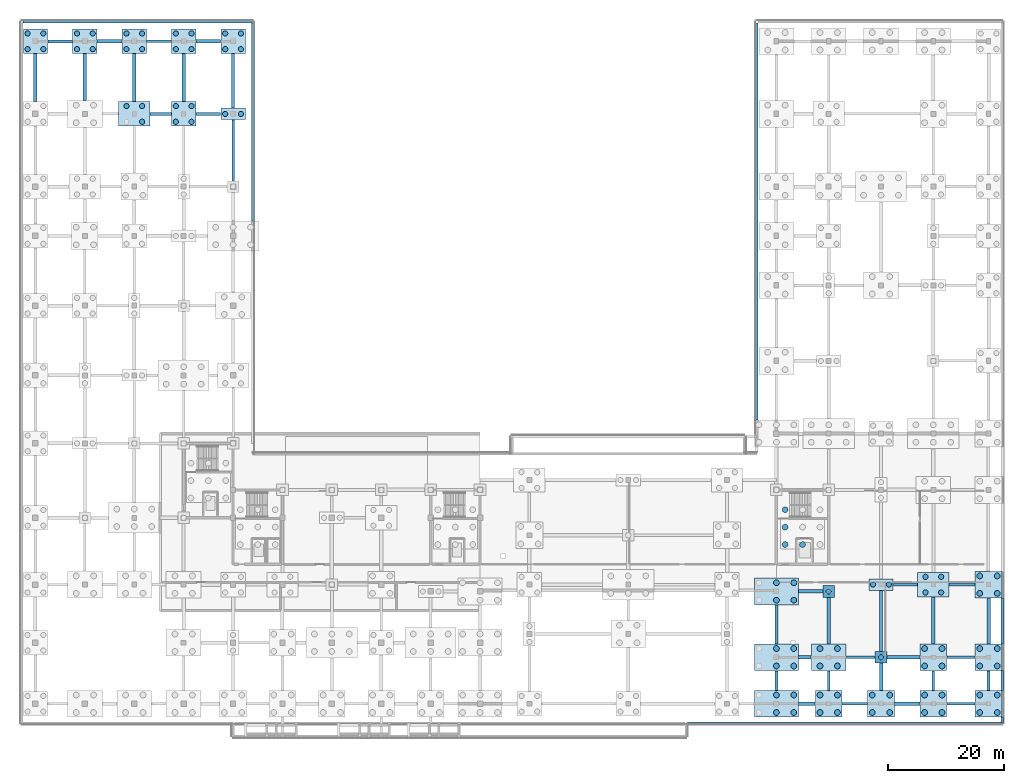
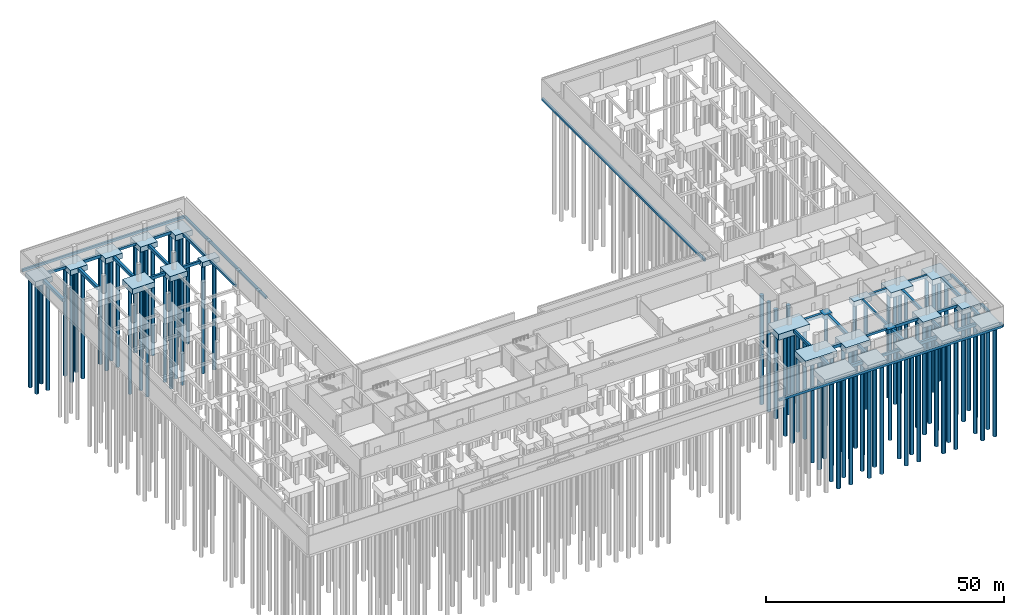
# One storey, part 5 of 25: 85 piles, 63 footings.
"""IFC4 building model written with IfcOpenShell, lengths in metres."""

import ifcopenshell
import ifcopenshell.guid

model = None  # the IFC model being written
_history = None  # IfcOwnerHistory: only IFC2X3 demands one
_inside = {}  # id of a spatial element -> (the spatial element, [elements in it])
_under = {}  # id of a project, library or spatial element -> (it, [spatial elements below it])
_declared = {}  # id of a project -> (the project, [libraries it declares])
_typed = {}  # id of a type object -> (the type object, [elements of that type])
_made_of = {}  # id of a material, layer set ... -> (it, [elements and type objects made of it])


def new_model(schema):
    """Start an empty IFC model of exactly this schema.

    Asked for "IFC4X3", IfcOpenShell would pick the latest addendum, in which some entities
    have other attributes; the version numbers below select the first issue.
    IFC2X3 requires an IfcOwnerHistory on every rooted entity: one is made here for all.
    """
    global model, _history
    if schema == "IFC4X3":
        model = ifcopenshell.file(schema_version=(4, 3, 0, 0))
    else:
        model = ifcopenshell.file(schema=schema)
    _inside.clear()
    _under.clear()
    _declared.clear()
    _typed.clear()
    _made_of.clear()
    _history = None
    if model.schema == "IFC2X3":
        org = make("IfcOrganization", Name="unknown")
        user = make(
            "IfcPersonAndOrganization",
            ThePerson=make("IfcPerson", FamilyName="unknown"),
            TheOrganization=org,
        )
        app = make(
            "IfcApplication",
            ApplicationDeveloper=org,
            Version="unknown",
            ApplicationFullName="unknown",
            ApplicationIdentifier="unknown",
        )
        _history = make(
            "IfcOwnerHistory",
            OwningUser=user,
            OwningApplication=app,
            ChangeAction="ADDED",
            CreationDate=0,
        )
    return model


def make(cls, **values):
    """One entity of the class cls with the attributes given. An attribute that is None is left unset."""
    return model.create_entity(
        cls, **{name: value for name, value in values.items() if value is not None}
    )


def rooted(cls, **values):
    """An entity with a GlobalId (a new one), such as an element, a storey or a relation."""
    return make(cls, GlobalId=ifcopenshell.guid.new(), OwnerHistory=_history, **values)


def si_unit(unit_type, name, prefix=None):
    """IfcSIUnit, for example si_unit("LENGTHUNIT", "METRE", prefix="MILLI")."""
    return make("IfcSIUnit", UnitType=unit_type, Prefix=prefix, Name=name)


def assignment(units):
    """IfcUnitAssignment: the units of a project."""
    return None if units is None else make("IfcUnitAssignment", Units=units)


def point(xyz):
    """IfcCartesianPoint."""
    return None if xyz is None else make("IfcCartesianPoint", Coordinates=xyz)


def direction(xyz):
    """IfcDirection."""
    return None if xyz is None else make("IfcDirection", DirectionRatios=xyz)


def frame(location, z_axis=None, x_axis=None):
    """IfcAxis2Placement3D, a coordinate frame: its origin and axes. An axis left out is left unset."""
    return make(
        "IfcAxis2Placement3D",
        Location=point(location),
        Axis=direction(z_axis),
        RefDirection=direction(x_axis),
    )


def frame_2d(location, x_axis=None):
    """IfcAxis2Placement2D, a coordinate frame in the plane: its origin and x axis."""
    return make(
        "IfcAxis2Placement2D", Location=point(location), RefDirection=direction(x_axis)
    )


def origin():
    """The frame at (0, 0, 0) with its axes left unset."""
    return frame((0.0, 0.0, 0.0))


def origin_2d():
    """The frame at (0, 0) in the plane with its x axis left unset."""
    return frame_2d((0.0, 0.0))


def place(relative_to, where):
    """IfcLocalPlacement: puts the frame where relative to a parent placement (None: the world)."""
    return make(
        "IfcLocalPlacement", PlacementRelTo=relative_to, RelativePlacement=where
    )


def context(
    kind, dimensions, precision=None, world=None, true_north=None, identifier=None
):
    """IfcGeometricRepresentationContext, for example the 3D "Model" context."""
    return make(
        "IfcGeometricRepresentationContext",
        ContextIdentifier=identifier,
        ContextType=kind,
        CoordinateSpaceDimension=dimensions,
        Precision=precision,
        WorldCoordinateSystem=world,
        TrueNorth=true_north,
    )


def subcontext(parent, identifier, kind, view, scale=None):
    """IfcGeometricRepresentationSubContext, for example "Body" below "Model"."""
    return make(
        "IfcGeometricRepresentationSubContext",
        ContextIdentifier=identifier,
        ContextType=kind,
        ParentContext=parent,
        TargetScale=scale,
        TargetView=view,
    )


def project(units=None, contexts=None):
    """IfcProject with its units and contexts."""
    return rooted(
        "IfcProject",
        Name="project",
        RepresentationContexts=contexts,
        UnitsInContext=assignment(units),
    )


def spatial(cls, under=None, at=None, **own):
    """A site, building, storey or space (cls), placed at a placement, below another one or the project."""
    s = rooted(cls, ObjectPlacement=at, **own)
    if under is not None:
        _under.setdefault(under.id(), (under, []))[1].append(s)
    return s


def profile(cls, at=None, kind="AREA", **sizes):
    """A parametric profile (cls). Its sizes go by their IFC names, for example OverallWidth=200.0."""
    return make(cls, ProfileType=kind, Position=at, **sizes)


def rectangle(**sizes):
    """IfcRectangleProfileDef."""
    return profile("IfcRectangleProfileDef", **sizes)


def circle(**sizes):
    """IfcCircleProfileDef."""
    return profile("IfcCircleProfileDef", **sizes)


def extrude(swept, where, along, depth):
    """IfcExtrudedAreaSolid: the profile swept, set in the frame where, extruded along a direction by depth."""
    return make(
        "IfcExtrudedAreaSolid",
        SweptArea=swept,
        Position=where,
        ExtrudedDirection=direction(along),
        Depth=depth,
    )


def shape(context_of_items, identifier, shape_type, items):
    """IfcShapeRepresentation: the items that make up one representation, for example the "Body"."""
    return make(
        "IfcShapeRepresentation",
        ContextOfItems=context_of_items,
        RepresentationIdentifier=identifier,
        RepresentationType=shape_type,
        Items=items,
    )


def material(Name=None, Category=None):
    """IfcMaterial."""
    return make("IfcMaterial", Name=Name, Category=Category)


def material_profile(
    of_material, cross_section, Name=None, Category=None, Priority=None
):
    """IfcMaterialProfile: a cross section and its material."""
    return make(
        "IfcMaterialProfile",
        Name=Name,
        Material=of_material,
        Profile=cross_section,
        Priority=Priority,
        Category=Category,
    )


def profile_set(profiles, Name=None, composite=None):
    """IfcMaterialProfileSet."""
    return make(
        "IfcMaterialProfileSet",
        Name=Name,
        MaterialProfiles=profiles,
        CompositeProfile=composite,
    )


def made_of(thing, what):
    """Note that an element or type object is made of a material, layer set ...; save() writes the relation."""
    if what is not None:
        _made_of.setdefault(what.id(), (what, []))[1].append(thing)
    return thing


def type_object(cls, material=None, **own):
    """A type object (cls), such as IfcWallType, which elements share."""
    return made_of(rooted(cls, **own), material)


def element(
    cls,
    number,
    at=None,
    inside=None,
    cuts=None,
    type_object=None,
    material=None,
    context=None,
    identifier="Body",
    shape_type=None,
    held_by="IfcProductDefinitionShape",
    body=None,
    shapes=None,
    **own,
):
    """One element of the class cls, such as IfcWall. Its Tag is "e" and its number.

    at: its placement. inside: the storey or other place that contains it. cuts: it is an
    opening in that element (IfcRelVoidsElement). A single representation is given by context,
    identifier, shape_type and body (its items); several are given by shapes. held_by: the class
    of the entity that holds the representations. save() writes the other relations.
    """
    e = rooted(cls, Tag="e%d" % number, ObjectPlacement=at, **own)
    if body is not None:
        shapes = [shape(context, identifier, shape_type, body)]
    if shapes is not None:
        e.Representation = make(held_by, Representations=shapes)
    if inside is not None:
        _inside.setdefault(inside.id(), (inside, []))[1].append(e)
    if cuts is not None:
        rooted(
            "IfcRelVoidsElement", RelatingBuildingElement=cuts, RelatedOpeningElement=e
        )
    if type_object is not None:
        _typed.setdefault(type_object.id(), (type_object, []))[1].append(e)
    return made_of(e, material)


def aggregate(whole, parts):
    """IfcRelAggregates: a whole, such as a stair, and the parts it consists of."""
    return rooted("IfcRelAggregates", RelatingObject=whole, RelatedObjects=parts)


def save(model, path):
    """Write the relations noted so far, then the file.

    IfcRelAggregates (storeys below a building ...), IfcRelContainedInSpatialStructure (elements
    in a storey), IfcRelDefinesByType, IfcRelAssociatesMaterial and IfcRelDeclares: one each for
    every whole, place, type object, material and project.
    """
    for whole, parts in _under.values():
        aggregate(whole, parts)
    for where, things in _inside.values():
        rooted(
            "IfcRelContainedInSpatialStructure",
            RelatedElements=things,
            RelatingStructure=where,
        )
    for kind, things in _typed.values():
        rooted("IfcRelDefinesByType", RelatedObjects=things, RelatingType=kind)
    for what, things in _made_of.values():
        rooted("IfcRelAssociatesMaterial", RelatedObjects=things, RelatingMaterial=what)
    for by, libraries in _declared.values():
        rooted("IfcRelDeclares", RelatingContext=by, RelatedDefinitions=libraries)
    model.write(path)


model = new_model("IFC4")

# Units and contexts
model_context = context("Model", 3, precision=1e-05, world=origin(), true_north=direction((0.0, 1.0)))
body_context = subcontext(model_context, "Body", "Model", "MODEL_VIEW")
ifc_project = project(units=[si_unit("LENGTHUNIT", "METRE"), si_unit("AREAUNIT", "SQUARE_METRE"), si_unit("VOLUMEUNIT", "CUBIC_METRE"), si_unit("PLANEANGLEUNIT", "RADIAN"), si_unit("MASSUNIT", "GRAM", prefix="KILO")], contexts=[model_context])

# Site, building, storey
site_placement = place(None, origin())
site = spatial("IfcSite", under=ifc_project, at=site_placement, CompositionType="ELEMENT")
building_placement = place(site_placement, origin())
building = spatial("IfcBuilding", under=site, at=building_placement, Name="Solvikara Media Centre", CompositionType="ELEMENT")
storey_placement = place(building_placement, frame((0.0, 0.0, -4.800048828125)))
storey = spatial("IfcBuildingStorey", under=building, at=storey_placement, Name="B01", CompositionType="ELEMENT", Elevation=-4.800048828125)

# Piles
ifc_material = material(Name="Concrete fc' 35 MPa (C35/45)", Category="concrete")
ifc_material_profile_1 = material_profile(ifc_material, circle(Radius=0.449951171875, at=origin_2d()), Name="BORED PILE D900")
ifc_profile_set_1 = profile_set([ifc_material_profile_1], Name="Concrete fc' 35 MPa (C35/45)")
pile_type_1 = type_object("IfcPileType", Name="BP-01", PredefinedType="BORED", material=ifc_profile_set_1)
for number, where, z_axis, x_axis, name in (
    (1, (-1.35009765625, 112.64990234375, -1.25), (0.0, 0.0, -1.0), (1.0, 0.0, 0.0), "PL-015-01"),
    (2, (1.35009765625, 112.64990234375, -1.25), (0.0, 0.0, -1.0), (1.0, 0.0, 0.0), "PL-015-02"),
    (3, (-1.35009765625, 115.35009765625, -1.25), (0.0, 0.0, -1.0), (1.0, 0.0, 0.0), "PL-015-03"),
    (4, (1.35009765625, 115.35009765625, -1.25), (0.0, 0.0, -1.0), (1.0, 0.0, 0.0), "PL-015-04"),
    (5, (7.14990234375, 112.64990234375, -1.25), (0.0, 0.0, -1.0), (1.0, 0.0, 0.0), "PL-025-01"),
    (6, (9.85009765625, 112.64990234375, -1.25), (0.0, 0.0, -1.0), (1.0, 0.0, 0.0), "PL-025-02"),
    (7, (7.14990234375, 115.35009765625, -1.25), (0.0, 0.0, -1.0), (1.0, 0.0, 0.0), "PL-025-03"),
    (8, (9.85009765625, 115.35009765625, -1.25), (0.0, 0.0, -1.0), (1.0, 0.0, 0.0), "PL-025-04"),
    (9, (18.35009765625, 100.14990234375, -1.300048828125), (0.0, 0.0, -1.0), (1.0, 0.0, 0.0), "PL-034-02"),
    (10, (15.64990234375, 102.85009765625, -1.300048828125), (0.0, 0.0, -1.0), (1.0, 0.0, 0.0), "PL-034-03"),
    (11, (18.35009765625, 102.85009765625, -1.300048828125), (0.0, 0.0, -1.0), (1.0, 0.0, 0.0), "PL-034-04"),
    (12, (15.64990234375, 112.64990234375, -1.25), (0.0, 0.0, -1.0), (1.0, 0.0, 0.0), "PL-035-01"),
    (13, (18.35009765625, 112.64990234375, -1.25), (0.0, 0.0, -1.0), (1.0, 0.0, 0.0), "PL-035-02"),
    (14, (15.64990234375, 115.35009765625, -1.25), (0.0, 0.0, -1.0), (1.0, 0.0, 0.0), "PL-035-03"),
    (15, (18.35009765625, 115.35009765625, -1.25), (0.0, 0.0, -1.0), (1.0, 0.0, 0.0), "PL-035-04"),
    (16, (24.14990234375, 100.14990234375, -1.25), (0.0, 0.0, -1.0), (1.0, 0.0, 0.0), "PL-045-01"),
    (17, (26.85009765625, 100.14990234375, -1.25), (0.0, 0.0, -1.0), (1.0, 0.0, 0.0), "PL-045-02"),
    (18, (24.14990234375, 102.85009765625, -1.25), (0.0, 0.0, -1.0), (1.0, 0.0, 0.0), "PL-045-03"),
    (19, (26.85009765625, 102.85009765625, -1.25), (0.0, 0.0, -1.0), (1.0, 0.0, 0.0), "PL-045-04"),
    (20, (24.14990234375, 112.64990234375, -1.25), (0.0, 0.0, -1.0), (1.0, 0.0, 0.0), "PL-046-01"),
    (21, (26.85009765625, 112.64990234375, -1.25), (0.0, 0.0, -1.0), (1.0, 0.0, 0.0), "PL-046-02"),
    (22, (24.14990234375, 115.35009765625, -1.25), (0.0, 0.0, -1.0), (1.0, 0.0, 0.0), "PL-046-03"),
    (23, (26.85009765625, 115.35009765625, -1.25), (0.0, 0.0, -1.0), (1.0, 0.0, 0.0), "PL-046-04"),
    (24, (32.64990234375, 101.5, -1.14990234375), (0.0, 0.0, -1.0), (1.0, 0.0, 0.0), "PL-052-01"),
    (25, (35.35009765625, 101.5, -1.14990234375), (0.0, 0.0, -1.0), (1.0, 0.0, 0.0), "PL-052-02"),
    (26, (32.64990234375, 112.64990234375, -1.25), (0.0, 0.0, -1.0), (1.0, 0.0, 0.0), "PL-053-01"),
    (27, (35.35009765625, 112.64990234375, -1.25), (0.0, 0.0, -1.0), (1.0, 0.0, 0.0), "PL-053-02"),
    (28, (32.64990234375, 115.35009765625, -1.25), (0.0, 0.0, -1.0), (1.0, 0.0, 0.0), "PL-053-03"),
    (29, (35.35009765625, 115.35009765625, -1.25), (0.0, 0.0, -1.0), (1.0, 0.0, 0.0), "PL-053-04"),
    (30, (145.5, 8.0, -1.099853515625), (0.0, 0.0, -1.0), (1.0, 0.0, 0.0), "PL-103-01"),
    (31, (144.14990234375, 20.5, -1.14990234375), (0.0, 0.0, -1.0), (1.0, 0.0, 0.0), "PL-104-01"),
    (32, (146.85009765625, 20.5, -1.14990234375), (0.0, 0.0, -1.0), (1.0, 0.0, 0.0), "PL-104-02"),
    (33, (153.14990234375, 19.14990234375, -1.300048828125), (0.0, 0.0, -1.0), (1.0, 0.0, 0.0), "PL-109-01"),
    (34, (155.85009765625, 19.14990234375, -1.300048828125), (0.0, 0.0, -1.0), (1.0, 0.0, 0.0), "PL-109-02"),
    (35, (153.14990234375, 21.85009765625, -1.300048828125), (0.0, 0.0, -1.0), (1.0, 0.0, 0.0), "PL-109-03"),
    (36, (155.85009765625, 21.85009765625, -1.300048828125), (0.0, 0.0, -1.0), (1.0, 0.0, 0.0), "PL-109-04"),
    (37, (136.5, 19.323974609375, -1.099853515625), (0.0, 0.0, -1.0), (1.0, 0.0, 0.0), "PL-117-01"),
):
    element("IfcPile", number, at=place(storey_placement, frame(where, z_axis=z_axis, x_axis=x_axis)), inside=storey, type_object=pile_type_1, Name=name, PredefinedType="BORED", context=body_context, shape_type="SweptSolid", body=[
        extrude(circle(Radius=0.449951171875, at=origin_2d()), origin(), (0.0, 0.0, 1.0), 28.0),
    ])
ifc_material_profile_2 = material_profile(ifc_material, circle(Radius=0.5, at=origin_2d()), Name="BORED PILE D1000")
ifc_profile_set_2 = profile_set([ifc_material_profile_2], Name="Concrete fc' 35 MPa (C35/45)")
pile_type_2 = type_object("IfcPileType", Name="BP-02", PredefinedType="BORED", material=ifc_profile_set_2)
for number, where, z_axis, x_axis, name in (
    (38, (129.0, 27.39990234375, -1.5), (0.0, 0.0, -1.0), (1.0, 0.0, 0.0), "PL-C4-01"),
    (39, (129.0, 30.39990234375, -1.5), (0.0, 0.0, -1.0), (1.0, 0.0, 0.0), "PL-C4-02"),
    (40, (129.0, 33.39990234375, -1.5), (0.0, 0.0, -1.0), (1.0, 0.0, 0.0), "PL-C4-03"),
    (41, (132.0, 27.39990234375, -1.5), (0.0, 0.0, -1.0), (1.0, 0.0, 0.0), "PL-C4-04"),
    (42, (127.5, -1.5, -1.449951171875), (0.0, 0.0, -1.0), (1.0, 0.0, 0.0), "PL-094-02"),
    (43, (130.5, -1.5, -1.449951171875), (0.0, 0.0, -1.0), (1.0, 0.0, 0.0), "PL-094-03"),
    (44, (127.5, 1.5, -1.449951171875), (0.0, 0.0, -1.0), (1.0, 0.0, 0.0), "PL-094-05"),
    (45, (130.5, 1.5, -1.449951171875), (0.0, 0.0, -1.0), (1.0, 0.0, 0.0), "PL-094-06"),
    (46, (127.5, 6.5, -1.449951171875), (0.0, 0.0, -1.0), (1.0, 0.0, 0.0), "PL-095-02"),
    (47, (130.5, 6.5, -1.449951171875), (0.0, 0.0, -1.0), (1.0, 0.0, 0.0), "PL-095-03"),
    (48, (127.5, 9.5, -1.449951171875), (0.0, 0.0, -1.0), (1.0, 0.0, 0.0), "PL-095-05"),
    (49, (130.5, 9.5, -1.449951171875), (0.0, 0.0, -1.0), (1.0, 0.0, 0.0), "PL-095-06"),
    (50, (135.0, -1.5, -1.349853515625), (0.0, 0.0, -1.0), (1.0, 0.0, 0.0), "PL-098-01"),
    (51, (138.0, -1.5, -1.349853515625), (0.0, 0.0, -1.0), (1.0, 0.0, 0.0), "PL-098-02"),
    (52, (135.0, 1.5, -1.349853515625), (0.0, 0.0, -1.0), (1.0, 0.0, 0.0), "PL-098-03"),
    (53, (138.0, 1.5, -1.349853515625), (0.0, 0.0, -1.0), (1.0, 0.0, 0.0), "PL-098-04"),
    (54, (135.0, 6.5, -1.39990234375), (0.0, 0.0, -1.0), (1.0, 0.0, 0.0), "PL-099-01"),
    (55, (138.0, 6.5, -1.39990234375), (0.0, 0.0, -1.0), (1.0, 0.0, 0.0), "PL-099-02"),
    (56, (135.0, 9.5, -1.39990234375), (0.0, 0.0, -1.0), (1.0, 0.0, 0.0), "PL-099-03"),
    (57, (138.0, 9.5, -1.39990234375), (0.0, 0.0, -1.0), (1.0, 0.0, 0.0), "PL-099-04"),
    (58, (144.0, -1.5, -1.349853515625), (0.0, 0.0, -1.0), (1.0, 0.0, 0.0), "PL-102-01"),
    (59, (147.0, -1.5, -1.349853515625), (0.0, 0.0, -1.0), (1.0, 0.0, 0.0), "PL-102-02"),
    (60, (144.0, 1.5, -1.349853515625), (0.0, 0.0, -1.0), (1.0, 0.0, 0.0), "PL-102-03"),
    (61, (147.0, 1.5, -1.349853515625), (0.0, 0.0, -1.0), (1.0, 0.0, 0.0), "PL-102-04"),
    (62, (153.0, -1.5, -1.349853515625), (0.0, 0.0, -1.0), (1.0, 0.0, 0.0), "PL-107-01"),
    (63, (156.0, -1.5, -1.349853515625), (0.0, 0.0, -1.0), (1.0, 0.0, 0.0), "PL-107-02"),
    (64, (153.0, 1.5, -1.349853515625), (0.0, 0.0, -1.0), (1.0, 0.0, 0.0), "PL-107-03"),
    (65, (156.0, 1.5, -1.349853515625), (0.0, 0.0, -1.0), (1.0, 0.0, 0.0), "PL-107-04"),
    (66, (153.0, 6.5, -1.349853515625), (0.0, 0.0, -1.0), (1.0, 0.0, 0.0), "PL-108-01"),
    (67, (156.0, 6.5, -1.349853515625), (0.0, 0.0, -1.0), (1.0, 0.0, 0.0), "PL-108-02"),
    (68, (153.0, 9.5, -1.349853515625), (0.0, 0.0, -1.0), (1.0, 0.0, 0.0), "PL-108-03"),
    (69, (156.0, 9.5, -1.349853515625), (0.0, 0.0, -1.0), (1.0, 0.0, 0.0), "PL-108-04"),
    (70, (162.5, -1.5, -1.349853515625), (0.0, 0.0, -1.0), (1.0, 0.0, 0.0), "PL-112-01"),
    (71, (165.5, -1.5, -1.349853515625), (0.0, 0.0, -1.0), (1.0, 0.0, 0.0), "PL-112-02"),
    (72, (162.5, 1.5, -1.349853515625), (0.0, 0.0, -1.0), (1.0, 0.0, 0.0), "PL-112-03"),
    (73, (165.5, 1.5, -1.349853515625), (0.0, 0.0, -1.0), (1.0, 0.0, 0.0), "PL-112-04"),
    (74, (162.5, 6.5, -1.349853515625), (0.0, 0.0, -1.0), (1.0, 0.0, 0.0), "PL-113-01"),
    (75, (165.5, 6.5, -1.349853515625), (0.0, 0.0, -1.0), (1.0, 0.0, 0.0), "PL-113-02"),
    (76, (162.5, 9.5, -1.349853515625), (0.0, 0.0, -1.0), (1.0, 0.0, 0.0), "PL-113-03"),
    (77, (165.5, 9.5, -1.349853515625), (0.0, 0.0, -1.0), (1.0, 0.0, 0.0), "PL-113-04"),
    (78, (162.5, 19.0, -1.349853515625), (0.0, 0.0, -1.0), (1.0, 0.0, 0.0), "PL-114-01"),
    (79, (165.5, 19.0, -1.349853515625), (0.0, 0.0, -1.0), (1.0, 0.0, 0.0), "PL-114-02"),
    (80, (162.5, 22.0, -1.349853515625), (0.0, 0.0, -1.0), (1.0, 0.0, 0.0), "PL-114-03"),
    (81, (165.5, 22.0, -1.349853515625), (0.0, 0.0, -1.0), (1.0, 0.0, 0.0), "PL-114-04"),
    (82, (127.5, 17.823974609375, -1.449951171875), (0.0, 0.0, -1.0), (1.0, 0.0, 0.0), "PL-118-02"),
    (83, (130.5, 17.823974609375, -1.449951171875), (0.0, 0.0, -1.0), (1.0, 0.0, 0.0), "PL-118-03"),
    (84, (127.5, 20.823974609375, -1.449951171875), (0.0, 0.0, -1.0), (1.0, 0.0, 0.0), "PL-118-05"),
    (85, (130.5, 20.823974609375, -1.449951171875), (0.0, 0.0, -1.0), (1.0, 0.0, 0.0), "PL-118-06"),
):
    element("IfcPile", number, at=place(storey_placement, frame(where, z_axis=z_axis, x_axis=x_axis)), inside=storey, type_object=pile_type_2, Name=name, PredefinedType="BORED", context=body_context, shape_type="SweptSolid", body=[
        extrude(circle(Radius=0.5, at=origin_2d()), origin(), (0.0, 0.0, 1.0), 28.0),
    ])

# Footings
footing_type_1 = type_object("IfcFootingType", Name="FT-01", PredefinedType="PILE_CAP", material=ifc_material)
for number, where, z_axis, x_axis, name in (
    (86, (145.5, 8.0, -1.19970703125), (0.0, 0.0, 1.0), (1.0, 0.0, 0.0), "PC-103"),
    (87, (136.5, 19.323974609375, -1.19970703125), (0.0, 0.0, 1.0), (1.0, 0.0, 0.0), "PC-117"),
):
    element("IfcFooting", number, at=place(storey_placement, frame(where, z_axis=z_axis, x_axis=x_axis)), inside=storey, type_object=footing_type_1, Name=name, PredefinedType="PILE_CAP", context=body_context, shape_type="SweptSolid", body=[
        extrude(rectangle(XDim=2.0, YDim=2.0, at=origin_2d()), origin(), (0.0, 0.0, 1.0), 1.199951171875),
    ])
footing_type_2 = type_object("IfcFootingType", Name="FT-02", PredefinedType="PILE_CAP", material=ifc_material)
for number, where, z_axis, x_axis, name in (
    (88, (34.0, 101.5, -1.25), (0.0, 0.0, 1.0), (1.0, 0.0, 0.0), "PC-052"),
    (89, (145.5, 20.5, -1.25), (0.0, 0.0, 1.0), (1.0, 0.0, 0.0), "PC-104"),
):
    element("IfcFooting", number, at=place(storey_placement, frame(where, z_axis=z_axis, x_axis=x_axis)), inside=storey, type_object=footing_type_2, Name=name, PredefinedType="PILE_CAP", context=body_context, shape_type="SweptSolid", body=[
        extrude(rectangle(XDim=4.199951171875, YDim=2.0, at=origin_2d()), origin(), (0.0, 0.0, 1.0), 1.25),
    ])
footing_type_3 = type_object("IfcFootingType", Name="FT-04", PredefinedType="PILE_CAP", material=ifc_material)
for number, where, z_axis, x_axis, name in (
    (90, (0.0, 114.0, -1.35009765625), (0.0, 0.0, 1.0), (1.0, 0.0, 0.0), "PC-015"),
    (91, (8.5, 114.0, -1.35009765625), (0.0, 0.0, 1.0), (1.0, 0.0, 0.0), "PC-025"),
    (92, (17.0, 114.0, -1.35009765625), (0.0, 0.0, 1.0), (1.0, 0.0, 0.0), "PC-035"),
    (93, (25.5, 101.5, -1.35009765625), (0.0, 0.0, 1.0), (1.0, 0.0, 0.0), "PC-045"),
    (94, (25.5, 114.0, -1.35009765625), (0.0, 0.0, 1.0), (1.0, 0.0, 0.0), "PC-046"),
    (95, (34.0, 114.0, -1.35009765625), (0.0, 0.0, 1.0), (1.0, 0.0, 0.0), "PC-053"),
):
    element("IfcFooting", number, at=place(storey_placement, frame(where, z_axis=z_axis, x_axis=x_axis)), inside=storey, type_object=footing_type_3, Name=name, PredefinedType="PILE_CAP", context=body_context, shape_type="SweptSolid", body=[
        extrude(rectangle(XDim=4.199951171875, YDim=4.199951171875, at=origin_2d()), origin(), (0.0, 0.0, 1.0), 1.35009765625),
    ])
footing_type_4 = type_object("IfcFootingType", Name="FT-05", PredefinedType="PILE_CAP", material=ifc_material)
for number, where, z_axis, x_axis, name in (
    (96, (136.5, 0.0, -1.44970703125), (0.0, 0.0, 1.0), (1.0, 0.0, 0.0), "PC-098"),
    (97, (145.5, 0.0, -1.44970703125), (0.0, 0.0, 1.0), (1.0, 0.0, 0.0), "PC-102"),
    (98, (154.5, 0.0, -1.44970703125), (0.0, 0.0, 1.0), (1.0, 0.0, 0.0), "PC-107"),
    (99, (154.5, 8.0, -1.44970703125), (0.0, 0.0, 1.0), (1.0, 0.0, 0.0), "PC-108"),
    (100, (164.0, 0.0, -1.44970703125), (0.0, 0.0, 1.0), (1.0, 0.0, 0.0), "PC-112"),
    (101, (164.0, 8.0, -1.44970703125), (0.0, 0.0, 1.0), (1.0, 0.0, 0.0), "PC-113"),
    (102, (164.0, 20.5, -1.44970703125), (0.0, 0.0, 1.0), (1.0, 0.0, 0.0), "PC-114"),
):
    element("IfcFooting", number, at=place(storey_placement, frame(where, z_axis=z_axis, x_axis=x_axis)), inside=storey, type_object=footing_type_4, Name=name, PredefinedType="PILE_CAP", context=body_context, shape_type="SweptSolid", body=[
        extrude(rectangle(XDim=4.60009765625, YDim=4.60009765625, at=origin_2d()), origin(), (0.0, 0.0, 1.0), 1.449951171875),
    ])
footing_type_5 = type_object("IfcFootingType", Name="FT-06", PredefinedType="PILE_CAP", material=ifc_material)
for number, where, z_axis, x_axis, name in (
    (103, (127.5, 0.0, -1.5498046875), (0.0, 0.0, 1.0), (1.0, 0.0, 0.0), "PC-094"),
    (104, (127.5, 8.0, -1.5498046875), (0.0, 0.0, 1.0), (1.0, 0.0, 0.0), "PC-095"),
    (105, (127.5, 19.323974609375, -1.5498046875), (0.0, 0.0, 1.0), (1.0, 0.0, 0.0), "PC-118"),
):
    element("IfcFooting", number, at=place(storey_placement, frame(where, z_axis=z_axis, x_axis=x_axis)), inside=storey, type_object=footing_type_5, Name=name, PredefinedType="PILE_CAP", context=body_context, shape_type="SweptSolid", body=[
        extrude(rectangle(XDim=7.60009765625, YDim=4.60009765625, at=origin_2d()), origin(), (0.0, 0.0, 1.0), 1.550048828125),
    ])
footing_type_6 = type_object("IfcFootingType", Name="FT-08", PredefinedType="PILE_CAP", material=ifc_material)
for number, where, z_axis, x_axis, name in (
    (106, (17.0, 101.5, -1.39990234375), (0.0, 0.0, 1.0), (1.0, 0.0, 0.0), "PC-034"),
    (107, (154.5, 20.5, -1.39990234375), (0.0, 0.0, 1.0), (1.0, 0.0, 0.0), "PC-109"),
):
    element("IfcFooting", number, at=place(storey_placement, frame(where, z_axis=z_axis, x_axis=x_axis)), inside=storey, type_object=footing_type_6, Name=name, PredefinedType="PILE_CAP", context=body_context, shape_type="SweptSolid", body=[
        extrude(rectangle(XDim=5.39990234375, YDim=4.199951171875, at=origin_2d()), origin(), (0.0, 0.0, 1.0), 1.39990234375),
    ])
footing_type_7 = type_object("IfcFootingType", Name="FT-09", PredefinedType="PILE_CAP", material=ifc_material)
footing_1_placement = place(storey_placement, frame((136.5, 8.0, -1.5), z_axis=(0.0, 0.0, 1.0), x_axis=(1.0, 0.0, 0.0)))
element("IfcFooting", 108, at=footing_1_placement, inside=storey, type_object=footing_type_7, Name="PC-099", PredefinedType="PILE_CAP", context=body_context, shape_type="SweptSolid", body=[
    extrude(rectangle(XDim=6.0, YDim=4.60009765625, at=origin_2d()), origin(), (0.0, 0.0, 1.0), 1.5),
])
ifc_material_profile_3 = material_profile(ifc_material, rectangle(XDim=0.5, YDim=0.699951171875, at=origin_2d()), Name="RC 500x700")
ifc_profile_set_3 = profile_set([ifc_material_profile_3], Name="Concrete fc' 35 MPa (C35/45)")
footing_type_8 = type_object("IfcFootingType", Name="FT-11", PredefinedType="FOOTING_BEAM", material=ifc_profile_set_3)
for number, where, z_axis, x_axis, name in (
    (109, (156.820068359375, 0.0, -0.349853515625), (1.0, 0.0, 0.0), (0.0, 1.0, 0.0), "FTB-017"),
    (110, (156.820068359375, 8.0, -0.349853515625), (1.0, 0.0, 0.0), (0.0, 1.0, 0.0), "FTB-021"),
):
    element("IfcFooting", number, at=place(storey_placement, frame(where, z_axis=z_axis, x_axis=x_axis)), inside=storey, type_object=footing_type_8, Name=name, PredefinedType="FOOTING_BEAM", context=body_context, shape_type="SweptSolid", body=[
        extrude(rectangle(XDim=0.5, YDim=0.699951171875, at=origin_2d()), origin(), (0.0, 0.0, 1.0), 4.85986328125),
    ])
footing_2_placement = place(storey_placement, frame((157.219970703125, 20.5, -0.349853515625), z_axis=(1.0, 0.0, 0.0), x_axis=(0.0, 1.0, 0.0)))
element("IfcFooting", 111, at=footing_2_placement, inside=storey, type_object=footing_type_8, Name="FTB-041", PredefinedType="FOOTING_BEAM", context=body_context, shape_type="SweptSolid", body=[
    extrude(rectangle(XDim=0.5, YDim=0.699951171875, at=origin_2d()), origin(), (0.0, 0.0, 1.0), 4.4599609375),
])
for number, where, z_axis, x_axis, name in (
    (112, (27.6201171875, 101.5, -0.349853515625), (1.0, 0.0, 0.0), (0.0, 1.0, 0.0), "FTB-097"),
    (113, (2.1201171875, 114.0, -0.349853515625), (1.0, 0.0, 0.0), (0.0, 1.0, 0.0), "FTB-101"),
):
    element("IfcFooting", number, at=place(storey_placement, frame(where, z_axis=z_axis, x_axis=x_axis)), inside=storey, type_object=footing_type_8, Name=name, PredefinedType="FOOTING_BEAM", context=body_context, shape_type="SweptSolid", body=[
        extrude(rectangle(XDim=0.5, YDim=0.699951171875, at=origin_2d()), origin(), (0.0, 0.0, 1.0), 4.259765625),
    ])
footing_3_placement = place(storey_placement, frame((127.5, 10.320068359375, -0.349853515625), z_axis=(0.0, 1.0, 0.0), x_axis=(-1.0, 0.0, 0.0)))
element("IfcFooting", 114, at=footing_3_placement, inside=storey, type_object=footing_type_8, Name="FTB-181", PredefinedType="FOOTING_BEAM", context=body_context, shape_type="SweptSolid", body=[
    extrude(rectangle(XDim=0.5, YDim=0.699951171875, at=origin_2d()), origin(), (0.0, 0.0, 1.0), 6.683837890625),
])
for number, where, z_axis, x_axis, name in (
    (115, (136.5, 2.320068359375, -0.349853515625), (0.0, 1.0, 0.0), (-1.0, 0.0, 0.0), "FTB-189"),
    (116, (164.0, 2.320068359375, -0.349853515625), (0.0, 1.0, 0.0), (-1.0, 0.0, 0.0), "FTB-213"),
):
    element("IfcFooting", number, at=place(storey_placement, frame(where, z_axis=z_axis, x_axis=x_axis)), inside=storey, type_object=footing_type_8, Name=name, PredefinedType="FOOTING_BEAM", context=body_context, shape_type="SweptSolid", body=[
        extrude(rectangle(XDim=0.5, YDim=0.699951171875, at=origin_2d()), origin(), (0.0, 0.0, 1.0), 3.35986328125),
    ])
ifc_material_profile_4 = material_profile(ifc_material, rectangle(XDim=0.60009765625, YDim=0.800048828125, at=origin_2d()), Name="RC 600x800")
ifc_profile_set_4 = profile_set([ifc_material_profile_4], Name="Concrete fc' 35 MPa (C35/45)")
footing_type_9 = type_object("IfcFootingType", Name="FT-12", PredefinedType="FOOTING_BEAM", material=ifc_profile_set_4)
footing_4_placement = place(storey_placement, frame((131.320068359375, 0.0, -0.39990234375), z_axis=(1.0, 0.0, 0.0), x_axis=(0.0, 1.0, 0.0)))
element("IfcFooting", 117, at=footing_4_placement, inside=storey, type_object=footing_type_9, Name="FTB-014", PredefinedType="FOOTING_BEAM", context=body_context, shape_type="SweptSolid", body=[
    extrude(rectangle(XDim=0.60009765625, YDim=0.800048828125, at=origin_2d()), origin(), (0.0, 0.0, 1.0), 2.85986328125),
])
footing_5_placement = place(storey_placement, frame((131.320068359375, 8.0, -0.39990234375), z_axis=(1.0, 0.0, 0.0), x_axis=(0.0, 1.0, 0.0)))
element("IfcFooting", 118, at=footing_5_placement, inside=storey, type_object=footing_type_9, Name="FTB-018", PredefinedType="FOOTING_BEAM", context=body_context, shape_type="SweptSolid", body=[
    extrude(rectangle(XDim=0.60009765625, YDim=0.800048828125, at=origin_2d()), origin(), (0.0, 0.0, 1.0), 2.159912109375),
])
footing_6_placement = place(storey_placement, frame((131.320068359375, 19.323974609375, -0.39990234375), z_axis=(1.0, 0.0, 0.0), x_axis=(0.0, 1.0, 0.0)))
element("IfcFooting", 119, at=footing_6_placement, inside=storey, type_object=footing_type_9, Name="FTB-030", PredefinedType="FOOTING_BEAM", context=body_context, shape_type="SweptSolid", body=[
    extrude(rectangle(XDim=0.60009765625, YDim=0.800048828125, at=origin_2d()), origin(), (0.0, 0.0, 1.0), 4.159912109375),
])
footing_7_placement = place(storey_placement, frame((10.6201171875, 114.0, -0.39990234375), z_axis=(1.0, 0.0, 0.0), x_axis=(0.0, 1.0, 0.0)))
element("IfcFooting", 120, at=footing_7_placement, inside=storey, type_object=footing_type_9, Name="FTB-102", PredefinedType="FOOTING_BEAM", context=body_context, shape_type="SweptSolid", body=[
    extrude(rectangle(XDim=0.60009765625, YDim=0.800048828125, at=origin_2d()), origin(), (0.0, 0.0, 1.0), 4.259765625),
])
footing_8_placement = place(storey_placement, frame((0.0, 103.6201171875, -0.39990234375), z_axis=(0.0, 1.0, 0.0), x_axis=(-1.0, 0.0, 0.0)))
element("IfcFooting", 121, at=footing_8_placement, inside=storey, type_object=footing_type_9, Name="FTB-118", PredefinedType="FOOTING_BEAM", context=body_context, shape_type="SweptSolid", body=[
    extrude(rectangle(XDim=0.60009765625, YDim=0.800048828125, at=origin_2d()), origin(), (0.0, 0.0, 1.0), 8.259765625),
])
footing_9_placement = place(storey_placement, frame((8.5, 103.820068359375, -0.39990234375), z_axis=(0.0, 1.0, 0.0), x_axis=(-1.0, 0.0, 0.0)))
element("IfcFooting", 122, at=footing_9_placement, inside=storey, type_object=footing_type_9, Name="FTB-126", PredefinedType="FOOTING_BEAM", context=body_context, shape_type="SweptSolid", body=[
    extrude(rectangle(XDim=0.60009765625, YDim=0.800048828125, at=origin_2d()), origin(), (0.0, 0.0, 1.0), 8.059814453125),
])
footing_10_placement = place(storey_placement, frame((17.0, 103.6201171875, -0.39990234375), z_axis=(0.0, 1.0, 0.0), x_axis=(-1.0, 0.0, 0.0)))
element("IfcFooting", 123, at=footing_10_placement, inside=storey, type_object=footing_type_9, Name="FTB-134", PredefinedType="FOOTING_BEAM", context=body_context, shape_type="SweptSolid", body=[
    extrude(rectangle(XDim=0.60009765625, YDim=0.800048828125, at=origin_2d()), origin(), (0.0, 0.0, 1.0), 8.259765625),
])
footing_11_placement = place(storey_placement, frame((136.5, 10.320068359375, -0.39990234375), z_axis=(0.0, 1.0, 0.0), x_axis=(-1.0, 0.0, 0.0)))
element("IfcFooting", 124, at=footing_11_placement, inside=storey, type_object=footing_type_9, Name="FTB-190", PredefinedType="FOOTING_BEAM", context=body_context, shape_type="SweptSolid", body=[
    extrude(rectangle(XDim=0.60009765625, YDim=0.800048828125, at=origin_2d()), origin(), (0.0, 0.0, 1.0), 7.98388671875),
])
footing_12_placement = place(storey_placement, frame((145.5, 2.320068359375, -0.39990234375), z_axis=(0.0, 1.0, 0.0), x_axis=(-1.0, 0.0, 0.0)))
element("IfcFooting", 125, at=footing_12_placement, inside=storey, type_object=footing_type_9, Name="FTB-198", PredefinedType="FOOTING_BEAM", context=body_context, shape_type="SweptSolid", body=[
    extrude(rectangle(XDim=0.60009765625, YDim=0.800048828125, at=origin_2d()), origin(), (0.0, 0.0, 1.0), 4.659912109375),
])
footing_13_placement = place(storey_placement, frame((164.0, 10.320068359375, -0.39990234375), z_axis=(0.0, 1.0, 0.0), x_axis=(-1.0, 0.0, 0.0)))
element("IfcFooting", 126, at=footing_13_placement, inside=storey, type_object=footing_type_9, Name="FTB-214", PredefinedType="FOOTING_BEAM", context=body_context, shape_type="SweptSolid", body=[
    extrude(rectangle(XDim=0.60009765625, YDim=0.800048828125, at=origin_2d()), origin(), (0.0, 0.0, 1.0), 7.85986328125),
])
ifc_material_profile_5 = material_profile(ifc_material, rectangle(XDim=0.449951171875, YDim=0.64990234375, at=origin_2d()), Name="RC 450x650")
ifc_profile_set_5 = profile_set([ifc_material_profile_5], Name="Concrete fc' 35 MPa (C35/45)")
footing_type_10 = type_object("IfcFootingType", Name="FT-13", PredefinedType="FOOTING_BEAM", material=ifc_profile_set_5)
footing_14_placement = place(storey_placement, frame((138.820068359375, 0.0, -0.324951171875), z_axis=(1.0, 0.0, 0.0), x_axis=(0.0, 1.0, 0.0)))
element("IfcFooting", 127, at=footing_14_placement, inside=storey, type_object=footing_type_10, Name="FTB-015", PredefinedType="FOOTING_BEAM", context=body_context, shape_type="SweptSolid", body=[
    extrude(rectangle(XDim=0.449951171875, YDim=0.64990234375, at=origin_2d()), origin(), (0.0, 0.0, 1.0), 4.35986328125),
])
footing_15_placement = place(storey_placement, frame((139.52001953125, 8.0, -0.324951171875), z_axis=(1.0, 0.0, 0.0), x_axis=(0.0, 1.0, 0.0)))
element("IfcFooting", 128, at=footing_15_placement, inside=storey, type_object=footing_type_10, Name="FTB-019", PredefinedType="FOOTING_BEAM", context=body_context, shape_type="SweptSolid", body=[
    extrude(rectangle(XDim=0.449951171875, YDim=0.64990234375, at=origin_2d()), origin(), (0.0, 0.0, 1.0), 4.9599609375),
])
footing_16_placement = place(storey_placement, frame((19.1201171875, 114.0, -0.324951171875), z_axis=(1.0, 0.0, 0.0), x_axis=(0.0, 1.0, 0.0)))
element("IfcFooting", 129, at=footing_16_placement, inside=storey, type_object=footing_type_10, Name="FTB-103", PredefinedType="FOOTING_BEAM", context=body_context, shape_type="SweptSolid", body=[
    extrude(rectangle(XDim=0.449951171875, YDim=0.64990234375, at=origin_2d()), origin(), (0.0, 0.0, 1.0), 4.259765625),
])
for number, where, z_axis, x_axis, name in (
    (130, (34.0, 90.02001953125, -0.324951171875), (0.0, 1.0, 0.0), (-1.0, 0.0, 0.0), "FTB-151"),
    (131, (145.5, 9.02001953125, -0.324951171875), (0.0, 1.0, 0.0), (-1.0, 0.0, 0.0), "FTB-199"),
):
    element("IfcFooting", number, at=place(storey_placement, frame(where, z_axis=z_axis, x_axis=x_axis)), inside=storey, type_object=footing_type_10, Name=name, PredefinedType="FOOTING_BEAM", context=body_context, shape_type="SweptSolid", body=[
        extrude(rectangle(XDim=0.449951171875, YDim=0.64990234375, at=origin_2d()), origin(), (0.0, 0.0, 1.0), 10.4599609375),
    ])
footing_17_placement = place(storey_placement, frame((154.5, 2.320068359375, -0.324951171875), z_axis=(0.0, 1.0, 0.0), x_axis=(-1.0, 0.0, 0.0)))
element("IfcFooting", 132, at=footing_17_placement, inside=storey, type_object=footing_type_10, Name="FTB-203", PredefinedType="FOOTING_BEAM", context=body_context, shape_type="SweptSolid", body=[
    extrude(rectangle(XDim=0.449951171875, YDim=0.64990234375, at=origin_2d()), origin(), (0.0, 0.0, 1.0), 3.35986328125),
])
footing_18_placement = place(storey_placement, frame((-2.14990234375, 117.3798828125, -0.324951171875), z_axis=(1.0, 0.0, 0.0), x_axis=(0.0, 1.0, 0.0)))
element("IfcFooting", 133, at=footing_18_placement, inside=storey, type_object=footing_type_10, Name="FTB-234", PredefinedType="FOOTING_BEAM", context=body_context, shape_type="SweptSolid", body=[
    extrude(rectangle(XDim=0.449951171875, YDim=0.64990234375, at=origin_2d()), origin(), (0.0, 0.0, 1.0), 39.52978515625),
])
footing_19_placement = place(storey_placement, frame((37.3798828125, 83.10009765625, -0.324951171875), z_axis=(0.0, 1.0, 0.0), x_axis=(-1.0, 0.0, 0.0)))
element("IfcFooting", 134, at=footing_19_placement, inside=storey, type_object=footing_type_10, Name="FTB-236", PredefinedType="FOOTING_BEAM", context=body_context, shape_type="SweptSolid", body=[
    extrude(rectangle(XDim=0.449951171875, YDim=0.64990234375, at=origin_2d()), origin(), (0.0, 0.0, 1.0), 34.0498046875),
])
footing_20_placement = place(storey_placement, frame((124.1201171875, 48.800048828125, -0.324951171875), z_axis=(0.0, 1.0, 0.0), x_axis=(-1.0, 0.0, 0.0)))
element("IfcFooting", 135, at=footing_20_placement, inside=storey, type_object=footing_type_10, Name="FTB-239", PredefinedType="FOOTING_BEAM", context=body_context, shape_type="SweptSolid", body=[
    extrude(rectangle(XDim=0.449951171875, YDim=0.64990234375, at=origin_2d()), origin(), (0.0, 0.0, 1.0), 68.349853515625),
])
footing_21_placement = place(storey_placement, frame((166.3798828125, -3.330078125, -0.324951171875), z_axis=(0.0, 1.0, 0.0), x_axis=(-1.0, 0.0, 0.0)))
element("IfcFooting", 136, at=footing_21_placement, inside=storey, type_object=footing_type_10, Name="FTB-241", PredefinedType="FOOTING_BEAM", context=body_context, shape_type="SweptSolid", body=[
    extrude(rectangle(XDim=0.449951171875, YDim=0.64990234375, at=origin_2d()), origin(), (0.0, 0.0, 1.0), 1.030029296875),
])
footing_22_placement = place(storey_placement, frame((166.3798828125, 2.300048828125, -0.324951171875), z_axis=(0.0, 1.0, 0.0), x_axis=(-1.0, 0.0, 0.0)))
element("IfcFooting", 137, at=footing_22_placement, inside=storey, type_object=footing_type_10, Name="FTB-242", PredefinedType="FOOTING_BEAM", context=body_context, shape_type="SweptSolid", body=[
    extrude(rectangle(XDim=0.449951171875, YDim=0.64990234375, at=origin_2d()), origin(), (0.0, 0.0, 1.0), 3.39990234375),
])
footing_23_placement = place(storey_placement, frame((166.3798828125, 10.300048828125, -0.324951171875), z_axis=(0.0, 1.0, 0.0), x_axis=(-1.0, 0.0, 0.0)))
element("IfcFooting", 138, at=footing_23_placement, inside=storey, type_object=footing_type_10, Name="FTB-243", PredefinedType="FOOTING_BEAM", context=body_context, shape_type="SweptSolid", body=[
    extrude(rectangle(XDim=0.449951171875, YDim=0.64990234375, at=origin_2d()), origin(), (0.0, 0.0, 1.0), 7.89990234375),
])
footing_24_placement = place(storey_placement, frame((112.0, -3.330078125, -0.324951171875), z_axis=(1.0, 0.0, 0.0), x_axis=(0.0, 1.0, 0.0)))
element("IfcFooting", 139, at=footing_24_placement, inside=storey, type_object=footing_type_10, Name="FTB-248", PredefinedType="FOOTING_BEAM", context=body_context, shape_type="SweptSolid", body=[
    extrude(rectangle(XDim=0.449951171875, YDim=0.64990234375, at=origin_2d()), origin(), (0.0, 0.0, 1.0), 54.14990234375),
])
ifc_material_profile_6 = material_profile(ifc_material, rectangle(XDim=0.550048828125, YDim=0.75, at=origin_2d()), Name="RC 550x750")
ifc_profile_set_6 = profile_set([ifc_material_profile_6], Name="Concrete fc' 35 MPa (C35/45)")
footing_type_11 = type_object("IfcFootingType", Name="FT-14", PredefinedType="FOOTING_BEAM", material=ifc_profile_set_6)
footing_25_placement = place(storey_placement, frame((147.820068359375, 0.0, -0.375), z_axis=(1.0, 0.0, 0.0), x_axis=(0.0, 1.0, 0.0)))
element("IfcFooting", 140, at=footing_25_placement, inside=storey, type_object=footing_type_11, Name="FTB-016", PredefinedType="FOOTING_BEAM", context=body_context, shape_type="SweptSolid", body=[
    extrude(rectangle(XDim=0.550048828125, YDim=0.75, at=origin_2d()), origin(), (0.0, 0.0, 1.0), 4.35986328125),
])
footing_26_placement = place(storey_placement, frame((146.52001953125, 8.0, -0.375), z_axis=(1.0, 0.0, 0.0), x_axis=(0.0, 1.0, 0.0)))
element("IfcFooting", 141, at=footing_26_placement, inside=storey, type_object=footing_type_11, Name="FTB-020", PredefinedType="FOOTING_BEAM", context=body_context, shape_type="SweptSolid", body=[
    extrude(rectangle(XDim=0.550048828125, YDim=0.75, at=origin_2d()), origin(), (0.0, 0.0, 1.0), 5.659912109375),
])
footing_27_placement = place(storey_placement, frame((147.6201171875, 20.5, -0.375), z_axis=(1.0, 0.0, 0.0), x_axis=(0.0, 1.0, 0.0)))
element("IfcFooting", 142, at=footing_27_placement, inside=storey, type_object=footing_type_11, Name="FTB-040", PredefinedType="FOOTING_BEAM", context=body_context, shape_type="SweptSolid", body=[
    extrude(rectangle(XDim=0.550048828125, YDim=0.75, at=origin_2d()), origin(), (0.0, 0.0, 1.0), 4.159912109375),
])
footing_28_placement = place(storey_placement, frame((19.719970703125, 101.5, -0.375), z_axis=(1.0, 0.0, 0.0), x_axis=(0.0, 1.0, 0.0)))
element("IfcFooting", 143, at=footing_28_placement, inside=storey, type_object=footing_type_11, Name="FTB-096", PredefinedType="FOOTING_BEAM", context=body_context, shape_type="SweptSolid", body=[
    extrude(rectangle(XDim=0.550048828125, YDim=0.75, at=origin_2d()), origin(), (0.0, 0.0, 1.0), 3.659912109375),
])
footing_29_placement = place(storey_placement, frame((27.6201171875, 114.0, -0.375), z_axis=(1.0, 0.0, 0.0), x_axis=(0.0, 1.0, 0.0)))
element("IfcFooting", 144, at=footing_29_placement, inside=storey, type_object=footing_type_11, Name="FTB-104", PredefinedType="FOOTING_BEAM", context=body_context, shape_type="SweptSolid", body=[
    extrude(rectangle(XDim=0.550048828125, YDim=0.75, at=origin_2d()), origin(), (0.0, 0.0, 1.0), 4.259765625),
])
footing_30_placement = place(storey_placement, frame((25.5, 103.6201171875, -0.375), z_axis=(0.0, 1.0, 0.0), x_axis=(-1.0, 0.0, 0.0)))
element("IfcFooting", 145, at=footing_30_placement, inside=storey, type_object=footing_type_11, Name="FTB-144", PredefinedType="FOOTING_BEAM", context=body_context, shape_type="SweptSolid", body=[
    extrude(rectangle(XDim=0.550048828125, YDim=0.75, at=origin_2d()), origin(), (0.0, 0.0, 1.0), 8.259765625),
])
footing_31_placement = place(storey_placement, frame((34.0, 102.52001953125, -0.375), z_axis=(0.0, 1.0, 0.0), x_axis=(-1.0, 0.0, 0.0)))
element("IfcFooting", 146, at=footing_31_placement, inside=storey, type_object=footing_type_11, Name="FTB-152", PredefinedType="FOOTING_BEAM", context=body_context, shape_type="SweptSolid", body=[
    extrude(rectangle(XDim=0.550048828125, YDim=0.75, at=origin_2d()), origin(), (0.0, 0.0, 1.0), 9.35986328125),
])
footing_32_placement = place(storey_placement, frame((127.5, 2.320068359375, -0.375), z_axis=(0.0, 1.0, 0.0), x_axis=(-1.0, 0.0, 0.0)))
element("IfcFooting", 147, at=footing_32_placement, inside=storey, type_object=footing_type_11, Name="FTB-180", PredefinedType="FOOTING_BEAM", context=body_context, shape_type="SweptSolid", body=[
    extrude(rectangle(XDim=0.550048828125, YDim=0.75, at=origin_2d()), origin(), (0.0, 0.0, 1.0), 3.35986328125),
])
footing_33_placement = place(storey_placement, frame((154.5, 10.320068359375, -0.375), z_axis=(0.0, 1.0, 0.0), x_axis=(-1.0, 0.0, 0.0)))
element("IfcFooting", 148, at=footing_33_placement, inside=storey, type_object=footing_type_11, Name="FTB-204", PredefinedType="FOOTING_BEAM", context=body_context, shape_type="SweptSolid", body=[
    extrude(rectangle(XDim=0.550048828125, YDim=0.75, at=origin_2d()), origin(), (0.0, 0.0, 1.0), 8.059814453125),
])

save(model, "model.ifc")
